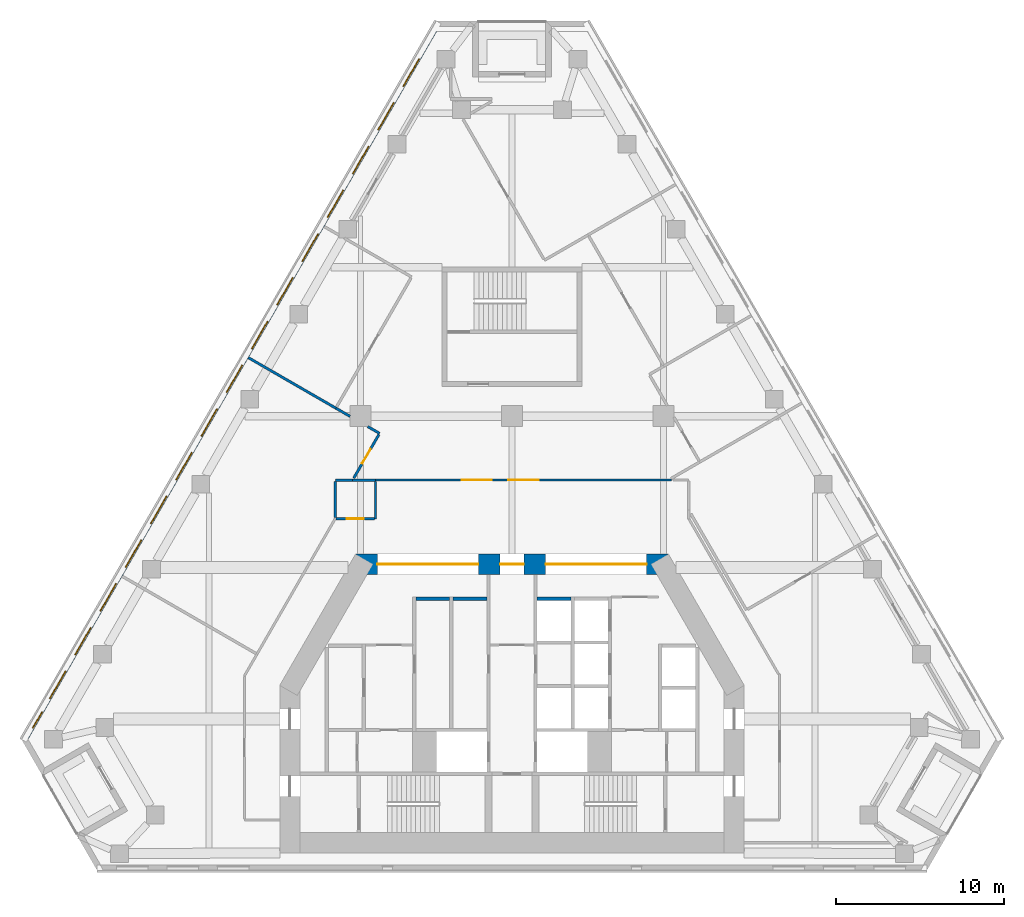
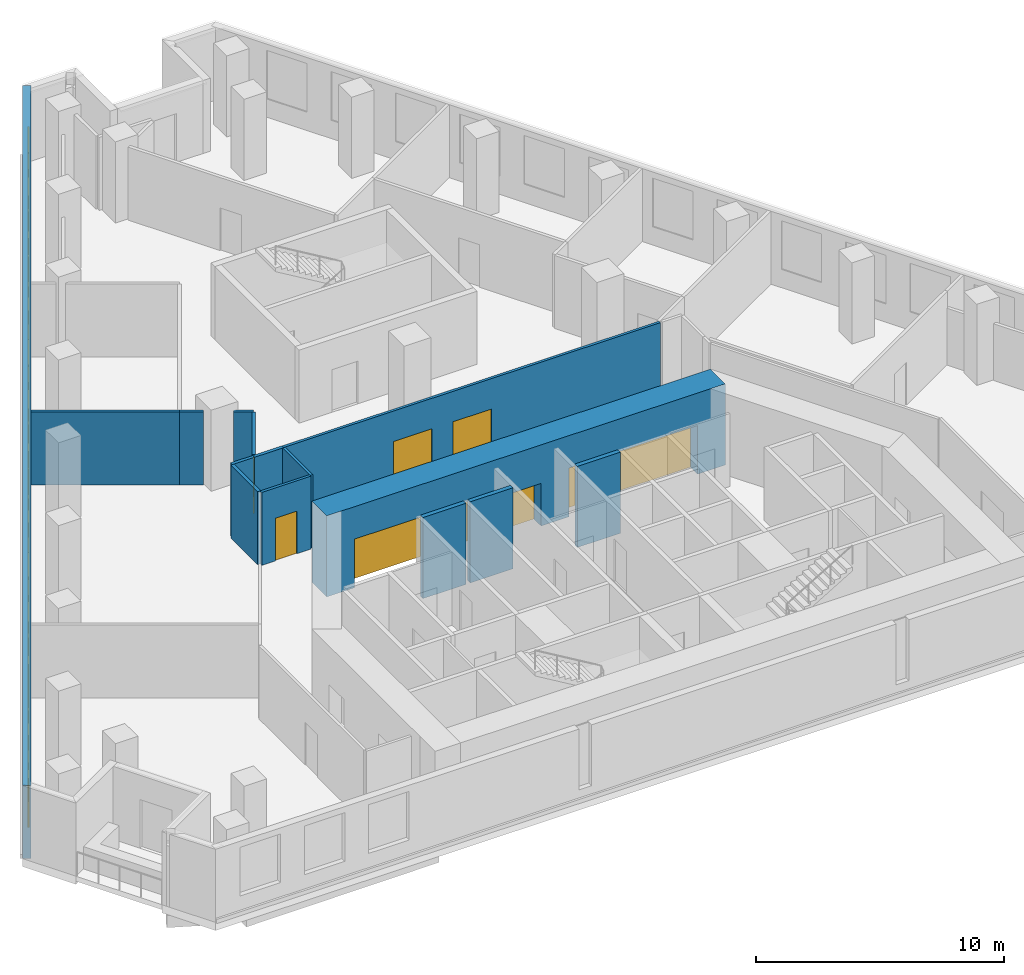
# One storey, part 5 of 9: 16 windows, 15 walls, 7 doors, 23 openings.
"""IFC4 building model written with IfcOpenShell, lengths in metres."""

from ifc_helpers import new_model, si_unit, direction, frame, frame_2d, origin, place, context, subcontext, project, spatial, rectangle, extrude, material, layer, layer_set, type_object, element, fill, save


model = new_model("IFC4")

# Units and contexts
model_context = context("Model", 3, precision=1e-05, world=origin(), true_north=direction((0.0, 1.0)))
body_context = subcontext(model_context, "Body", "Model", "MODEL_VIEW")
ifc_project = project(units=[si_unit("LENGTHUNIT", "METRE"), si_unit("AREAUNIT", "SQUARE_METRE"), si_unit("VOLUMEUNIT", "CUBIC_METRE"), si_unit("PLANEANGLEUNIT", "RADIAN"), si_unit("MASSUNIT", "GRAM", prefix="KILO")], contexts=[model_context])

# Site, building, storey
site_placement = place(None, origin())
site = spatial("IfcSite", under=ifc_project, at=site_placement, CompositionType="ELEMENT")
building_placement = place(site_placement, origin())
building = spatial("IfcBuilding", under=site, at=building_placement, Name="Fogline Exchange Tower", CompositionType="ELEMENT")
storey_placement = place(building_placement, frame((0.0, 0.0, 150.89990234375)))
storey = spatial("IfcBuildingStorey", under=building, at=storey_placement, Name="L33", CompositionType="ELEMENT", Elevation=150.89990234375)

# Walls
ifc_material_1 = material(Name="Concrete C40", Category="concrete")
ifc_layer_1 = layer(ifc_material_1, 0.199951171875)
ifc_layer_set_1 = layer_set([ifc_layer_1], Name="CW20S")
wall_type_1 = type_object("IfcWallType", Name="CW20S", PredefinedType="SOLIDWALL", material=ifc_layer_set_1)
for number, where, z_axis, x_axis, name in (
    (1, (-5.699951171875, 16.14990234375, -0.39990234375), (0.0, 0.0, 1.0), (1.0, 0.0, 0.0), "Lift shaft wall"),
    (2, (-3.5, 16.14990234375, -0.39990234375), (0.0, 0.0, 1.0), (1.0, 0.0, 0.0), "Lift shaft wall"),
    (3, (1.5, 16.14990234375, -0.39990234375), (0.0, 0.0, 1.0), (1.0, 0.0, 0.0), "Lift shaft wall"),
):
    element("IfcWall", number, at=place(storey_placement, frame(where, z_axis=z_axis, x_axis=x_axis)), inside=storey, type_object=wall_type_1, Name=name, PredefinedType="SOLIDWALL", context=body_context, shape_type="SweptSolid", body=[
        extrude(rectangle(XDim=2.0, YDim=0.199951171875, at=frame_2d((1.0, 0.0))), origin(), (0.0, 0.0, 1.0), 4.0),
    ])

# Wall, openings, windows
ifc_material_2 = material(Name="Brick masonry", Category="masonry")
ifc_layer_2 = layer(ifc_material_2, 0.340087890625)
ifc_layer_set_2 = layer_set([ifc_layer_2], Name="FW1")
wall_type_2 = type_object("IfcWallType", Name="FW1", PredefinedType="SOLIDWALL", material=ifc_layer_set_2)
wall_1_placement = place(storey_placement, frame((-4.352783203125, 50.401611328125, 0.0), z_axis=(0.0, 0.0, 1.0), x_axis=(-0.499999677325, -0.866025590081, 0.0)))
wall_1 = element("IfcWall", 4, at=wall_1_placement, inside=storey, type_object=wall_type_2, Name="Brick wall L33 W", PredefinedType="SOLIDWALL", context=body_context, shape_type="SweptSolid", body=[
    extrude(rectangle(XDim=49.296875, YDim=0.340087890625, at=frame_2d((24.6484375, 0.0))), origin(), (0.0, 0.0, 1.0), 3.60009765625),
])
opening_1_placement = place(wall_1_placement, frame((2.47265625, 0.0, 0.89990234375)))
opening_1 = element("IfcOpeningElement", 5, at=opening_1_placement, cuts=wall_1, Name="Opening W1", PredefinedType="OPENING", context=body_context, shape_type="SweptSolid", body=[
    extrude(rectangle(XDim=1.885009765625, YDim=2.39990234375, at=frame_2d((0.9423828125, 1.199951171875))), frame((0.0, 0.18017578125, 0.0), z_axis=(0.0, -1.0, 0.0), x_axis=(1.0, 0.0, 0.0)), (0.0, 0.0, 1.0), 0.360107421875),
])
opening_2_placement = place(wall_1_placement, frame((5.47265625, 0.0, 0.89990234375)))
opening_2 = element("IfcOpeningElement", 6, at=opening_2_placement, cuts=wall_1, Name="Opening W1", PredefinedType="OPENING", context=body_context, shape_type="SweptSolid", body=[
    extrude(rectangle(XDim=1.885009765625, YDim=2.39990234375, at=frame_2d((0.9423828125, 1.199951171875))), frame((0.0, 0.18017578125, 0.0), z_axis=(0.0, -1.0, 0.0), x_axis=(1.0, 0.0, 0.0)), (0.0, 0.0, 1.0), 0.360107421875),
])
opening_3_placement = place(wall_1_placement, frame((8.47265625, 0.0, 0.89990234375)))
opening_3 = element("IfcOpeningElement", 7, at=opening_3_placement, cuts=wall_1, Name="Opening W1", PredefinedType="OPENING", context=body_context, shape_type="SweptSolid", body=[
    extrude(rectangle(XDim=1.885009765625, YDim=2.39990234375, at=frame_2d((0.9423828125, 1.199951171875))), frame((0.0, 0.18017578125, 0.0), z_axis=(0.0, -1.0, 0.0), x_axis=(1.0, 0.0, 0.0)), (0.0, 0.0, 1.0), 0.360107421875),
])
opening_4_placement = place(wall_1_placement, frame((11.47265625, 0.0, 0.89990234375)))
opening_4 = element("IfcOpeningElement", 8, at=opening_4_placement, cuts=wall_1, Name="Opening W1", PredefinedType="OPENING", context=body_context, shape_type="SweptSolid", body=[
    extrude(rectangle(XDim=1.885009765625, YDim=2.39990234375, at=frame_2d((0.9423828125, 1.199951171875))), frame((0.0, 0.18017578125, 0.0), z_axis=(0.0, -1.0, 0.0), x_axis=(1.0, 0.0, 0.0)), (0.0, 0.0, 1.0), 0.360107421875),
])
opening_5_placement = place(wall_1_placement, frame((14.47265625, 0.0, 0.89990234375)))
opening_5 = element("IfcOpeningElement", 9, at=opening_5_placement, cuts=wall_1, Name="Opening W1", PredefinedType="OPENING", context=body_context, shape_type="SweptSolid", body=[
    extrude(rectangle(XDim=1.885009765625, YDim=2.39990234375, at=frame_2d((0.9423828125, 1.199951171875))), frame((0.0, 0.18017578125, 0.0), z_axis=(0.0, -1.0, 0.0), x_axis=(1.0, 0.0, 0.0)), (0.0, 0.0, 1.0), 0.360107421875),
])
opening_6_placement = place(wall_1_placement, frame((17.47265625, 0.0, 0.89990234375)))
opening_6 = element("IfcOpeningElement", 10, at=opening_6_placement, cuts=wall_1, Name="Opening W1", PredefinedType="OPENING", context=body_context, shape_type="SweptSolid", body=[
    extrude(rectangle(XDim=1.885009765625, YDim=2.39990234375, at=frame_2d((0.9423828125, 1.199951171875))), frame((0.0, 0.18017578125, 0.0), z_axis=(0.0, -1.0, 0.0), x_axis=(1.0, 0.0, 0.0)), (0.0, 0.0, 1.0), 0.360107421875),
])
opening_7_placement = place(wall_1_placement, frame((20.47265625, 0.0, 0.89990234375)))
opening_7 = element("IfcOpeningElement", 11, at=opening_7_placement, cuts=wall_1, Name="Opening W1", PredefinedType="OPENING", context=body_context, shape_type="SweptSolid", body=[
    extrude(rectangle(XDim=1.885009765625, YDim=2.39990234375, at=frame_2d((0.9423828125, 1.199951171875))), frame((0.0, 0.18017578125, 0.0), z_axis=(0.0, -1.0, 0.0), x_axis=(1.0, 0.0, 0.0)), (0.0, 0.0, 1.0), 0.360107421875),
])
opening_8_placement = place(wall_1_placement, frame((23.47265625, 0.0, 0.89990234375)))
opening_8 = element("IfcOpeningElement", 12, at=opening_8_placement, cuts=wall_1, Name="Opening W1", PredefinedType="OPENING", context=body_context, shape_type="SweptSolid", body=[
    extrude(rectangle(XDim=1.885009765625, YDim=2.39990234375, at=frame_2d((0.9423828125, 1.199951171875))), frame((0.0, 0.18017578125, 0.0), z_axis=(0.0, -1.0, 0.0), x_axis=(1.0, 0.0, 0.0)), (0.0, 0.0, 1.0), 0.360107421875),
])
opening_9_placement = place(wall_1_placement, frame((26.47265625, 0.0, 0.89990234375)))
opening_9 = element("IfcOpeningElement", 13, at=opening_9_placement, cuts=wall_1, Name="Opening W1", PredefinedType="OPENING", context=body_context, shape_type="SweptSolid", body=[
    extrude(rectangle(XDim=1.885009765625, YDim=2.39990234375, at=frame_2d((0.9423828125, 1.199951171875))), frame((0.0, 0.18017578125, 0.0), z_axis=(0.0, -1.0, 0.0), x_axis=(1.0, 0.0, 0.0)), (0.0, 0.0, 1.0), 0.360107421875),
])
opening_10_placement = place(wall_1_placement, frame((29.47265625, 0.0, 0.89990234375)))
opening_10 = element("IfcOpeningElement", 14, at=opening_10_placement, cuts=wall_1, Name="Opening W1", PredefinedType="OPENING", context=body_context, shape_type="SweptSolid", body=[
    extrude(rectangle(XDim=1.885009765625, YDim=2.39990234375, at=frame_2d((0.9423828125, 1.199951171875))), frame((0.0, 0.18017578125, 0.0), z_axis=(0.0, -1.0, 0.0), x_axis=(1.0, 0.0, 0.0)), (0.0, 0.0, 1.0), 0.360107421875),
])
opening_11_placement = place(wall_1_placement, frame((32.47265625, 0.0, 0.89990234375)))
opening_11 = element("IfcOpeningElement", 15, at=opening_11_placement, cuts=wall_1, Name="Opening W1", PredefinedType="OPENING", context=body_context, shape_type="SweptSolid", body=[
    extrude(rectangle(XDim=1.885009765625, YDim=2.39990234375, at=frame_2d((0.9423828125, 1.199951171875))), frame((0.0, 0.18017578125, 0.0), z_axis=(0.0, -1.0, 0.0), x_axis=(1.0, 0.0, 0.0)), (0.0, 0.0, 1.0), 0.360107421875),
])
opening_12_placement = place(wall_1_placement, frame((35.47265625, 0.0, 0.89990234375)))
opening_12 = element("IfcOpeningElement", 16, at=opening_12_placement, cuts=wall_1, Name="Opening W1", PredefinedType="OPENING", context=body_context, shape_type="SweptSolid", body=[
    extrude(rectangle(XDim=1.885009765625, YDim=2.39990234375, at=frame_2d((0.9423828125, 1.199951171875))), frame((0.0, 0.18017578125, 0.0), z_axis=(0.0, -1.0, 0.0), x_axis=(1.0, 0.0, 0.0)), (0.0, 0.0, 1.0), 0.360107421875),
])
opening_13_placement = place(wall_1_placement, frame((38.47265625, 0.0, 0.89990234375)))
opening_13 = element("IfcOpeningElement", 17, at=opening_13_placement, cuts=wall_1, Name="Opening W1", PredefinedType="OPENING", context=body_context, shape_type="SweptSolid", body=[
    extrude(rectangle(XDim=1.885009765625, YDim=2.39990234375, at=frame_2d((0.9423828125, 1.199951171875))), frame((0.0, 0.18017578125, 0.0), z_axis=(0.0, -1.0, 0.0), x_axis=(1.0, 0.0, 0.0)), (0.0, 0.0, 1.0), 0.360107421875),
])
opening_14_placement = place(wall_1_placement, frame((41.47265625, 0.0, 0.89990234375)))
opening_14 = element("IfcOpeningElement", 18, at=opening_14_placement, cuts=wall_1, Name="Opening W1", PredefinedType="OPENING", context=body_context, shape_type="SweptSolid", body=[
    extrude(rectangle(XDim=1.885009765625, YDim=2.39990234375, at=frame_2d((0.9423828125, 1.199951171875))), frame((0.0, 0.18017578125, 0.0), z_axis=(0.0, -1.0, 0.0), x_axis=(1.0, 0.0, 0.0)), (0.0, 0.0, 1.0), 0.360107421875),
])
opening_15_placement = place(wall_1_placement, frame((44.47265625, 0.0, 0.89990234375)))
opening_15 = element("IfcOpeningElement", 19, at=opening_15_placement, cuts=wall_1, Name="Opening W1", PredefinedType="OPENING", context=body_context, shape_type="SweptSolid", body=[
    extrude(rectangle(XDim=1.885009765625, YDim=2.39990234375, at=frame_2d((0.9423828125, 1.199951171875))), frame((0.0, 0.18017578125, 0.0), z_axis=(0.0, -1.0, 0.0), x_axis=(1.0, 0.0, 0.0)), (0.0, 0.0, 1.0), 0.360107421875),
])
opening_16_placement = place(wall_1_placement, frame((47.269775390625, 0.0, 0.89990234375)))
opening_16 = element("IfcOpeningElement", 20, at=opening_16_placement, cuts=wall_1, Name="Opening W4", PredefinedType="OPENING", context=body_context, shape_type="SweptSolid", body=[
    extrude(rectangle(XDim=1.114990234375, YDim=2.39990234375, at=frame_2d((0.5576171875, 1.199951171875))), frame((0.0, 0.18017578125, 0.0), z_axis=(0.0, -1.0, 0.0), x_axis=(1.0, 0.0, 0.0)), (0.0, 0.0, 1.0), 0.360107421875),
])
ifc_material_3 = material(Name="Aluminium and glass", Category="aluminium")
window_type_1 = type_object("IfcWindowType", Name="W1", PartitioningType="SINGLE_PANEL", PredefinedType="WINDOW", material=ifc_material_3)
window_1_placement = place(opening_1_placement, origin())
window_1 = element("IfcWindow", 21, at=window_1_placement, inside=storey, type_object=window_type_1, Name="W1 W1", OverallHeight=2.39990234375, OverallWidth=1.885009765625, PartitioningType="SINGLE_PANEL", PredefinedType="WINDOW", context=body_context, shape_type="SweptSolid", body=[
    extrude(rectangle(XDim=1.885009765625, YDim=2.39990234375, at=frame_2d((0.9423828125, 1.199951171875))), frame((0.0, 0.110107421875, 0.0), z_axis=(0.0, -1.0, 0.0), x_axis=(1.0, 0.0, 0.0)), (0.0, 0.0, 1.0), 0.06005859375),
])
fill(opening_1, window_1)
window_2_placement = place(opening_2_placement, origin())
window_2 = element("IfcWindow", 22, at=window_2_placement, inside=storey, type_object=window_type_1, Name="W1 W1", OverallHeight=2.39990234375, OverallWidth=1.885009765625, PartitioningType="SINGLE_PANEL", PredefinedType="WINDOW", context=body_context, shape_type="SweptSolid", body=[
    extrude(rectangle(XDim=1.885009765625, YDim=2.39990234375, at=frame_2d((0.9423828125, 1.199951171875))), frame((0.0, 0.110107421875, 0.0), z_axis=(0.0, -1.0, 0.0), x_axis=(1.0, 0.0, 0.0)), (0.0, 0.0, 1.0), 0.06005859375),
])
fill(opening_2, window_2)
window_3_placement = place(opening_3_placement, origin())
window_3 = element("IfcWindow", 23, at=window_3_placement, inside=storey, type_object=window_type_1, Name="W1 W1", OverallHeight=2.39990234375, OverallWidth=1.885009765625, PartitioningType="SINGLE_PANEL", PredefinedType="WINDOW", context=body_context, shape_type="SweptSolid", body=[
    extrude(rectangle(XDim=1.885009765625, YDim=2.39990234375, at=frame_2d((0.9423828125, 1.199951171875))), frame((0.0, 0.110107421875, 0.0), z_axis=(0.0, -1.0, 0.0), x_axis=(1.0, 0.0, 0.0)), (0.0, 0.0, 1.0), 0.06005859375),
])
fill(opening_3, window_3)
window_4_placement = place(opening_4_placement, origin())
window_4 = element("IfcWindow", 24, at=window_4_placement, inside=storey, type_object=window_type_1, Name="W1 W1", OverallHeight=2.39990234375, OverallWidth=1.885009765625, PartitioningType="SINGLE_PANEL", PredefinedType="WINDOW", context=body_context, shape_type="SweptSolid", body=[
    extrude(rectangle(XDim=1.885009765625, YDim=2.39990234375, at=frame_2d((0.9423828125, 1.199951171875))), frame((0.0, 0.110107421875, 0.0), z_axis=(0.0, -1.0, 0.0), x_axis=(1.0, 0.0, 0.0)), (0.0, 0.0, 1.0), 0.06005859375),
])
fill(opening_4, window_4)
window_5_placement = place(opening_5_placement, origin())
window_5 = element("IfcWindow", 25, at=window_5_placement, inside=storey, type_object=window_type_1, Name="W1 W1", OverallHeight=2.39990234375, OverallWidth=1.885009765625, PartitioningType="SINGLE_PANEL", PredefinedType="WINDOW", context=body_context, shape_type="SweptSolid", body=[
    extrude(rectangle(XDim=1.885009765625, YDim=2.39990234375, at=frame_2d((0.9423828125, 1.199951171875))), frame((0.0, 0.110107421875, 0.0), z_axis=(0.0, -1.0, 0.0), x_axis=(1.0, 0.0, 0.0)), (0.0, 0.0, 1.0), 0.06005859375),
])
fill(opening_5, window_5)
window_6_placement = place(opening_6_placement, origin())
window_6 = element("IfcWindow", 26, at=window_6_placement, inside=storey, type_object=window_type_1, Name="W1 W1", OverallHeight=2.39990234375, OverallWidth=1.885009765625, PartitioningType="SINGLE_PANEL", PredefinedType="WINDOW", context=body_context, shape_type="SweptSolid", body=[
    extrude(rectangle(XDim=1.885009765625, YDim=2.39990234375, at=frame_2d((0.9423828125, 1.199951171875))), frame((0.0, 0.110107421875, 0.0), z_axis=(0.0, -1.0, 0.0), x_axis=(1.0, 0.0, 0.0)), (0.0, 0.0, 1.0), 0.06005859375),
])
fill(opening_6, window_6)
window_7_placement = place(opening_7_placement, origin())
window_7 = element("IfcWindow", 27, at=window_7_placement, inside=storey, type_object=window_type_1, Name="W1 W1", OverallHeight=2.39990234375, OverallWidth=1.885009765625, PartitioningType="SINGLE_PANEL", PredefinedType="WINDOW", context=body_context, shape_type="SweptSolid", body=[
    extrude(rectangle(XDim=1.885009765625, YDim=2.39990234375, at=frame_2d((0.9423828125, 1.199951171875))), frame((0.0, 0.110107421875, 0.0), z_axis=(0.0, -1.0, 0.0), x_axis=(1.0, 0.0, 0.0)), (0.0, 0.0, 1.0), 0.06005859375),
])
fill(opening_7, window_7)
window_8_placement = place(opening_8_placement, origin())
window_8 = element("IfcWindow", 28, at=window_8_placement, inside=storey, type_object=window_type_1, Name="W1 W1", OverallHeight=2.39990234375, OverallWidth=1.885009765625, PartitioningType="SINGLE_PANEL", PredefinedType="WINDOW", context=body_context, shape_type="SweptSolid", body=[
    extrude(rectangle(XDim=1.885009765625, YDim=2.39990234375, at=frame_2d((0.9423828125, 1.199951171875))), frame((0.0, 0.110107421875, 0.0), z_axis=(0.0, -1.0, 0.0), x_axis=(1.0, 0.0, 0.0)), (0.0, 0.0, 1.0), 0.06005859375),
])
fill(opening_8, window_8)
window_9_placement = place(opening_9_placement, origin())
window_9 = element("IfcWindow", 29, at=window_9_placement, inside=storey, type_object=window_type_1, Name="W1 W1", OverallHeight=2.39990234375, OverallWidth=1.885009765625, PartitioningType="SINGLE_PANEL", PredefinedType="WINDOW", context=body_context, shape_type="SweptSolid", body=[
    extrude(rectangle(XDim=1.885009765625, YDim=2.39990234375, at=frame_2d((0.9423828125, 1.199951171875))), frame((0.0, 0.110107421875, 0.0), z_axis=(0.0, -1.0, 0.0), x_axis=(1.0, 0.0, 0.0)), (0.0, 0.0, 1.0), 0.06005859375),
])
fill(opening_9, window_9)
window_10_placement = place(opening_10_placement, origin())
window_10 = element("IfcWindow", 30, at=window_10_placement, inside=storey, type_object=window_type_1, Name="W1 W1", OverallHeight=2.39990234375, OverallWidth=1.885009765625, PartitioningType="SINGLE_PANEL", PredefinedType="WINDOW", context=body_context, shape_type="SweptSolid", body=[
    extrude(rectangle(XDim=1.885009765625, YDim=2.39990234375, at=frame_2d((0.9423828125, 1.199951171875))), frame((0.0, 0.110107421875, 0.0), z_axis=(0.0, -1.0, 0.0), x_axis=(1.0, 0.0, 0.0)), (0.0, 0.0, 1.0), 0.06005859375),
])
fill(opening_10, window_10)
window_11_placement = place(opening_11_placement, origin())
window_11 = element("IfcWindow", 31, at=window_11_placement, inside=storey, type_object=window_type_1, Name="W1 W1", OverallHeight=2.39990234375, OverallWidth=1.885009765625, PartitioningType="SINGLE_PANEL", PredefinedType="WINDOW", context=body_context, shape_type="SweptSolid", body=[
    extrude(rectangle(XDim=1.885009765625, YDim=2.39990234375, at=frame_2d((0.9423828125, 1.199951171875))), frame((0.0, 0.110107421875, 0.0), z_axis=(0.0, -1.0, 0.0), x_axis=(1.0, 0.0, 0.0)), (0.0, 0.0, 1.0), 0.06005859375),
])
fill(opening_11, window_11)
window_12_placement = place(opening_12_placement, origin())
window_12 = element("IfcWindow", 32, at=window_12_placement, inside=storey, type_object=window_type_1, Name="W1 W1", OverallHeight=2.39990234375, OverallWidth=1.885009765625, PartitioningType="SINGLE_PANEL", PredefinedType="WINDOW", context=body_context, shape_type="SweptSolid", body=[
    extrude(rectangle(XDim=1.885009765625, YDim=2.39990234375, at=frame_2d((0.9423828125, 1.199951171875))), frame((0.0, 0.110107421875, 0.0), z_axis=(0.0, -1.0, 0.0), x_axis=(1.0, 0.0, 0.0)), (0.0, 0.0, 1.0), 0.06005859375),
])
fill(opening_12, window_12)
window_13_placement = place(opening_13_placement, origin())
window_13 = element("IfcWindow", 33, at=window_13_placement, inside=storey, type_object=window_type_1, Name="W1 W1", OverallHeight=2.39990234375, OverallWidth=1.885009765625, PartitioningType="SINGLE_PANEL", PredefinedType="WINDOW", context=body_context, shape_type="SweptSolid", body=[
    extrude(rectangle(XDim=1.885009765625, YDim=2.39990234375, at=frame_2d((0.9423828125, 1.199951171875))), frame((0.0, 0.110107421875, 0.0), z_axis=(0.0, -1.0, 0.0), x_axis=(1.0, 0.0, 0.0)), (0.0, 0.0, 1.0), 0.06005859375),
])
fill(opening_13, window_13)
window_14_placement = place(opening_14_placement, origin())
window_14 = element("IfcWindow", 34, at=window_14_placement, inside=storey, type_object=window_type_1, Name="W1 W1", OverallHeight=2.39990234375, OverallWidth=1.885009765625, PartitioningType="SINGLE_PANEL", PredefinedType="WINDOW", context=body_context, shape_type="SweptSolid", body=[
    extrude(rectangle(XDim=1.885009765625, YDim=2.39990234375, at=frame_2d((0.9423828125, 1.199951171875))), frame((0.0, 0.110107421875, 0.0), z_axis=(0.0, -1.0, 0.0), x_axis=(1.0, 0.0, 0.0)), (0.0, 0.0, 1.0), 0.06005859375),
])
fill(opening_14, window_14)
window_15_placement = place(opening_15_placement, origin())
window_15 = element("IfcWindow", 35, at=window_15_placement, inside=storey, type_object=window_type_1, Name="W1 W1", OverallHeight=2.39990234375, OverallWidth=1.885009765625, PartitioningType="SINGLE_PANEL", PredefinedType="WINDOW", context=body_context, shape_type="SweptSolid", body=[
    extrude(rectangle(XDim=1.885009765625, YDim=2.39990234375, at=frame_2d((0.9423828125, 1.199951171875))), frame((0.0, 0.110107421875, 0.0), z_axis=(0.0, -1.0, 0.0), x_axis=(1.0, 0.0, 0.0)), (0.0, 0.0, 1.0), 0.06005859375),
])
fill(opening_15, window_15)
window_type_2 = type_object("IfcWindowType", Name="W4", PartitioningType="SINGLE_PANEL", PredefinedType="WINDOW", material=ifc_material_3)
window_16_placement = place(opening_16_placement, origin())
window_16 = element("IfcWindow", 36, at=window_16_placement, inside=storey, type_object=window_type_2, Name="W4 W4", OverallHeight=2.39990234375, OverallWidth=1.114990234375, PartitioningType="SINGLE_PANEL", PredefinedType="WINDOW", context=body_context, shape_type="SweptSolid", body=[
    extrude(rectangle(XDim=1.114990234375, YDim=2.39990234375, at=frame_2d((0.5576171875, 1.199951171875))), frame((0.0, 0.110107421875, 0.0), z_axis=(0.0, -1.0, 0.0), x_axis=(1.0, 0.0, 0.0)), (0.0, 0.0, 1.0), 0.06005859375),
])
fill(opening_16, window_16)

# Wall, openings, doors
ifc_material_4 = material(Name="Plasterboard corridor partition with mineral wool, 2 layers each side")
ifc_layer_3 = layer(ifc_material_4, 0.125)
ifc_layer_set_3 = layer_set([ifc_layer_3], Name="PW2")
wall_type_3 = type_object("IfcWallType", Name="PW2", PredefinedType="PARTITIONING", material=ifc_layer_set_3)
wall_2_placement = place(storey_placement, frame((-8.10009765625, 23.199951171875, 0.0), z_axis=(0.0, 0.0, 1.0), x_axis=(1.0, 0.0, 0.0)))
wall_2 = element("IfcWall", 37, at=wall_2_placement, inside=storey, type_object=wall_type_3, Name="wall-L33-W006", PredefinedType="PARTITIONING", context=body_context, shape_type="SweptSolid", body=[
    extrude(rectangle(XDim=17.569091796875, YDim=0.125, at=frame_2d((8.78466796875, 0.0))), origin(), (0.0, 0.0, 1.0), 3.60009765625),
])
opening_17_placement = place(wall_2_placement, frame((5.1083984375, 0.0, 0.0)))
opening_17 = element("IfcOpeningElement", 38, at=opening_17_placement, cuts=wall_2, Name="Opening T10-D002", PredefinedType="OPENING", context=body_context, shape_type="SweptSolid", body=[
    extrude(rectangle(XDim=1.800048828125, YDim=2.10009765625, at=frame_2d((0.89990234375, 1.050048828125))), frame((0.0, 0.072509765625, 0.0), z_axis=(0.0, -1.0, 0.0), x_axis=(1.0, 0.0, 0.0)), (0.0, 0.0, 1.0), 0.14501953125),
])
opening_18_placement = place(wall_2_placement, frame((7.884521484375, 0.0, 0.0)))
opening_18 = element("IfcOpeningElement", 39, at=opening_18_placement, cuts=wall_2, Name="Opening T10-D003", PredefinedType="OPENING", context=body_context, shape_type="SweptSolid", body=[
    extrude(rectangle(XDim=1.800048828125, YDim=2.10009765625, at=frame_2d((0.89990234375, 1.050048828125))), frame((0.0, 0.072509765625, 0.0), z_axis=(0.0, -1.0, 0.0), x_axis=(1.0, 0.0, 0.0)), (0.0, 0.0, 1.0), 0.14501953125),
])
ifc_material_5 = material(Name="Fire-rated timber door leaves with steel frame", Category="steel")
door_type_1 = type_object("IfcDoorType", Name="D4", OperationType="DOUBLE_DOOR_SINGLE_SWING", PredefinedType="DOOR", material=ifc_material_5)
door_1_placement = place(opening_17_placement, frame((1.800048828125, 0.0, 0.0), z_axis=(0.0, 0.0, 1.0), x_axis=(-1.0, 0.0, 0.0)))
door_1 = element("IfcDoor", 40, at=door_1_placement, inside=storey, type_object=door_type_1, Name="door-L33-D002", OperationType="DOUBLE_DOOR_SINGLE_SWING", OverallHeight=2.10009765625, OverallWidth=1.800048828125, PredefinedType="DOOR", context=body_context, shape_type="SweptSolid", body=[
    extrude(rectangle(XDim=1.800048828125, YDim=2.10009765625, at=frame_2d((0.89990234375, 1.050048828125))), frame((0.0, 0.02490234375, 0.0), z_axis=(0.0, -1.0, 0.0), x_axis=(1.0, 0.0, 0.0)), (0.0, 0.0, 1.0), 0.050048828125),
])
fill(opening_17, door_1)
door_2_placement = place(opening_18_placement, frame((1.800048828125, 0.0, 0.0), z_axis=(0.0, 0.0, 1.0), x_axis=(-1.0, 0.0, 0.0)))
door_2 = element("IfcDoor", 41, at=door_2_placement, inside=storey, type_object=door_type_1, Name="door-L33-D003", OperationType="DOUBLE_DOOR_SINGLE_SWING", OverallHeight=2.10009765625, OverallWidth=1.800048828125, PredefinedType="DOOR", context=body_context, shape_type="SweptSolid", body=[
    extrude(rectangle(XDim=1.800048828125, YDim=2.10009765625, at=frame_2d((0.89990234375, 1.050048828125))), frame((0.0, 0.02490234375, 0.0), z_axis=(0.0, -1.0, 0.0), x_axis=(1.0, 0.0, 0.0)), (0.0, 0.0, 1.0), 0.050048828125),
])
fill(opening_18, door_2)

# Wall, opening, door
wall_3_placement = place(storey_placement, frame((-10.453857421875, 20.89990234375, 0.0), z_axis=(0.0, 0.0, 1.0), x_axis=(1.0, 0.0, 0.0)))
wall_3 = element("IfcWall", 42, at=wall_3_placement, inside=storey, type_object=wall_type_3, Name="wall-L33-W007", PredefinedType="PARTITIONING", context=body_context, shape_type="SweptSolid", body=[
    extrude(rectangle(XDim=2.291259765625, YDim=0.125, at=frame_2d((1.1455078125, 0.0))), origin(), (0.0, 0.0, 1.0), 3.60009765625),
])
opening_19_placement = place(wall_3_placement, frame((0.645751953125, 0.0, 0.0)))
opening_19 = element("IfcOpeningElement", 43, at=opening_19_placement, cuts=wall_3, Name="Opening T10-D004", PredefinedType="OPENING", context=body_context, shape_type="SweptSolid", body=[
    extrude(rectangle(XDim=1.0, YDim=2.10009765625, at=frame_2d((0.5, 1.050048828125))), frame((0.0, 0.072509765625, 0.0), z_axis=(0.0, -1.0, 0.0), x_axis=(1.0, 0.0, 0.0)), (0.0, 0.0, 1.0), 0.14501953125),
])
ifc_material_6 = material(Name="Fire-rated timber door leaf with steel frame", Category="steel")
door_type_2 = type_object("IfcDoorType", Name="D3", OperationType="SINGLE_SWING_LEFT", PredefinedType="DOOR", material=ifc_material_6)
door_3_placement = place(opening_19_placement, origin())
door_3 = element("IfcDoor", 44, at=door_3_placement, inside=storey, type_object=door_type_2, Name="door-L33-D004", OperationType="SINGLE_SWING_LEFT", OverallHeight=2.10009765625, OverallWidth=1.0, PredefinedType="DOOR", context=body_context, shape_type="SweptSolid", body=[
    extrude(rectangle(XDim=1.0, YDim=2.10009765625, at=frame_2d((0.5, 1.050048828125))), frame((0.0, 0.02490234375, 0.0), z_axis=(0.0, -1.0, 0.0), x_axis=(1.0, 0.0, 0.0)), (0.0, 0.0, 1.0), 0.050048828125),
])
fill(opening_19, door_3)

# Walls
wall_4_placement = place(storey_placement, frame((-8.10009765625, 20.89990234375, 0.0), z_axis=(0.0, 0.0, 1.0), x_axis=(0.0, 1.0, 0.0)))
element("IfcWall", 45, at=wall_4_placement, inside=storey, type_object=wall_type_3, Name="wall-L33-W008", PredefinedType="PARTITIONING", context=body_context, shape_type="SweptSolid", body=[
    extrude(rectangle(XDim=2.224609375, YDim=0.125, at=frame_2d((1.1123046875, 0.0))), origin(), (0.0, 0.0, 1.0), 3.60009765625),
])
ifc_material_7 = material(Name="Plasterboard demising partition with mineral wool and acoustic board")
ifc_layer_4 = layer(ifc_material_7, 0.14990234375)
ifc_layer_set_4 = layer_set([ifc_layer_4], Name="PW3")
wall_type_4 = type_object("IfcWallType", Name="PW3", PredefinedType="PARTITIONING", material=ifc_layer_set_4)
wall_5_placement = place(storey_placement, frame((-8.10009765625, 23.199951171875, 0.0), z_axis=(0.0, 0.0, 1.0), x_axis=(-1.0, 0.0, 0.0)))
element("IfcWall", 46, at=wall_5_placement, inside=storey, type_object=wall_type_4, Name="wall-L33-W034", PredefinedType="PARTITIONING", context=body_context, shape_type="SweptSolid", body=[
    extrude(rectangle(XDim=1.368896484375, YDim=0.14990234375, at=frame_2d((0.6845703125, 0.0))), origin(), (0.0, 0.0, 1.0), 3.60009765625),
])

# Wall, opening, door
wall_6_placement = place(storey_placement, frame((-9.40380859375, 23.31298828125, 0.0), z_axis=(0.0, 0.0, 1.0), x_axis=(0.499988265988, 0.866032178313, 0.0)))
wall_6 = element("IfcWall", 47, at=wall_6_placement, inside=storey, type_object=wall_type_4, Name="wall-L33-W035", PredefinedType="PARTITIONING", context=body_context, shape_type="SweptSolid", body=[
    extrude(rectangle(XDim=2.99462890625, YDim=0.14990234375, at=frame_2d((1.497314453125, 0.0))), origin(), (0.0, 0.0, 1.0), 3.60009765625),
])
opening_20_placement = place(wall_6_placement, frame((0.99755859375, 0.0, 0.0)))
opening_20 = element("IfcOpeningElement", 48, at=opening_20_placement, cuts=wall_6, Name="Opening T10-D012", PredefinedType="OPENING", context=body_context, shape_type="SweptSolid", body=[
    extrude(rectangle(XDim=1.0, YDim=2.10009765625, at=frame_2d((0.5, 1.050048828125))), frame((0.0, 0.0849609375, 0.0), z_axis=(0.0, -1.0, 0.0), x_axis=(1.0, 0.0, 0.0)), (0.0, 0.0, 1.0), 0.169921875),
])
door_4_placement = place(opening_20_placement, origin())
door_4 = element("IfcDoor", 49, at=door_4_placement, inside=storey, type_object=door_type_2, Name="door-L33-D012", OperationType="SINGLE_SWING_RIGHT", OverallHeight=2.10009765625, OverallWidth=1.0, PredefinedType="DOOR", context=body_context, shape_type="SweptSolid", body=[
    extrude(rectangle(XDim=1.0, YDim=2.10009765625, at=frame_2d((0.5, 1.050048828125))), frame((0.0, 0.02490234375, 0.0), z_axis=(0.0, -1.0, 0.0), x_axis=(1.0, 0.0, 0.0)), (0.0, 0.0, 1.0), 0.050048828125),
])
fill(opening_20, door_4)

# Walls
wall_7_placement = place(storey_placement, frame((-7.868896484375, 25.971435546875, 0.0), z_axis=(0.0, 0.0, 1.0), x_axis=(-0.866019355129, 0.500010476433, 0.0)))
element("IfcWall", 50, at=wall_7_placement, inside=storey, type_object=wall_type_4, Name="wall-L33-W036", PredefinedType="PARTITIONING", context=body_context, shape_type="SweptSolid", body=[
    extrude(rectangle(XDim=0.80712890625, YDim=0.14990234375, at=frame_2d((0.403564453125, 0.0))), origin(), (0.0, 0.0, 1.0), 3.60009765625),
])
wall_8_placement = place(storey_placement, frame((-9.625, 26.9853515625, 0.0), z_axis=(0.0, 0.0, 1.0), x_axis=(-0.866055964107, 0.499947064232, 0.0)))
element("IfcWall", 51, at=wall_8_placement, inside=storey, type_object=wall_type_4, Name="wall-L33-W037", PredefinedType="PARTITIONING", context=body_context, shape_type="SweptSolid", body=[
    extrude(rectangle(XDim=0.97216796875, YDim=0.14990234375, at=frame_2d((0.486083984375, 0.0))), origin(), (0.0, 0.0, 1.0), 3.60009765625),
])
wall_9_placement = place(storey_placement, frame((-10.467041015625, 27.471435546875, 0.0), z_axis=(0.0, 0.0, 1.0), x_axis=(-0.866020924479, 0.500007758305, 0.0)))
element("IfcWall", 52, at=wall_9_placement, inside=storey, type_object=wall_type_4, Name="wall-L33-W039", PredefinedType="PARTITIONING", context=body_context, shape_type="SweptSolid", body=[
    extrude(rectangle(XDim=6.0, YDim=0.14990234375, at=frame_2d((3.0, 0.0))), origin(), (0.0, 0.0, 1.0), 3.60009765625),
])
wall_10_placement = place(storey_placement, frame((-10.5, 20.96240234375, 0.0), z_axis=(0.0, 0.0, 1.0), x_axis=(0.0, 1.0, 0.0)))
element("IfcWall", 53, at=wall_10_placement, inside=storey, type_object=wall_type_4, Name="wall-L33-W040", PredefinedType="PARTITIONING", context=body_context, shape_type="SweptSolid", body=[
    extrude(rectangle(XDim=2.16259765625, YDim=0.14990234375, at=frame_2d((1.081298828125, 0.0))), origin(), (0.0, 0.0, 1.0), 3.60009765625),
])
wall_11_placement = place(storey_placement, frame((-10.5, 23.199951171875, 0.0), z_axis=(0.0, 0.0, 1.0), x_axis=(1.0, 0.0, 0.0)))
element("IfcWall", 54, at=wall_11_placement, inside=storey, type_object=wall_type_4, Name="wall-L33-W041", PredefinedType="PARTITIONING", context=body_context, shape_type="SweptSolid", body=[
    extrude(rectangle(XDim=1.031005859375, YDim=0.14990234375, at=frame_2d((0.515625, 0.0))), origin(), (0.0, 0.0, 1.0), 3.60009765625),
])

# Wall, openings, doors
ifc_material_8 = material(Name="Concrete C60", Category="concrete")
ifc_layer_5 = layer(ifc_material_8, 1.199951171875)
ifc_layer_set_5 = layer_set([ifc_layer_5], Name="SW02")
wall_type_5 = type_object("IfcWallType", Name="SW02", PredefinedType="SHEAR", material=ifc_layer_set_5)
wall_12_placement = place(storey_placement, frame((9.296142578125, 18.199951171875, 0.0), z_axis=(0.0, 0.0, 1.0), x_axis=(-1.0, 0.0, 0.0)))
wall_12 = element("IfcWall", 55, at=wall_12_placement, inside=storey, type_object=wall_type_5, Name="L33-W904", PredefinedType="SHEAR", context=body_context, shape_type="SweptSolid", body=[
    extrude(rectangle(XDim=18.59228515625, YDim=1.199951171875, at=frame_2d((9.296142578125, 0.0))), origin(), (0.0, 0.0, 1.0), 4.0),
])
opening_21_placement = place(wall_12_placement, frame((8.59619140625, 0.0, 0.0)))
opening_21 = element("IfcOpeningElement", 56, at=opening_21_placement, cuts=wall_12, Name="Opening T10-C019", PredefinedType="OPENING", context=body_context, shape_type="SweptSolid", body=[
    extrude(rectangle(XDim=1.39990234375, YDim=2.10009765625, at=frame_2d((0.699951171875, 1.050048828125))), frame((0.0, 0.60986328125, 0.0), z_axis=(0.0, -1.0, 0.0), x_axis=(1.0, 0.0, 0.0)), (0.0, 0.0, 1.0), 1.219970703125),
])
opening_22_placement = place(wall_12_placement, frame((11.296142578125, 0.0, 0.0)))
opening_22 = element("IfcOpeningElement", 57, at=opening_22_placement, cuts=wall_12, Name="Opening T10-C020", PredefinedType="OPENING", context=body_context, shape_type="SweptSolid", body=[
    extrude(rectangle(XDim=6.0, YDim=2.39990234375, at=frame_2d((3.0, 1.199951171875))), frame((0.0, 0.60986328125, 0.0), z_axis=(0.0, -1.0, 0.0), x_axis=(1.0, 0.0, 0.0)), (0.0, 0.0, 1.0), 1.219970703125),
])
opening_23_placement = place(wall_12_placement, frame((1.296142578125, 0.0, 0.0)))
opening_23 = element("IfcOpeningElement", 58, at=opening_23_placement, cuts=wall_12, Name="Opening T10-C021", PredefinedType="OPENING", context=body_context, shape_type="SweptSolid", body=[
    extrude(rectangle(XDim=6.0, YDim=2.39990234375, at=frame_2d((3.0, 1.199951171875))), frame((0.0, 0.60986328125, 0.0), z_axis=(0.0, -1.0, 0.0), x_axis=(1.0, 0.0, 0.0)), (0.0, 0.0, 1.0), 1.219970703125),
])
ifc_material_9 = material(Name="Steel and timber fire door", Category="steel")
door_type_3 = type_object("IfcDoorType", Name="D-LB1", OperationType="DOUBLE_DOOR_SINGLE_SWING", PredefinedType="DOOR", material=ifc_material_9)
door_5_placement = place(opening_21_placement, origin())
door_5 = element("IfcDoor", 59, at=door_5_placement, inside=storey, type_object=door_type_3, Name="Protected lobby door", OperationType="DOUBLE_DOOR_SINGLE_SWING", OverallHeight=2.10009765625, OverallWidth=1.39990234375, PredefinedType="DOOR", context=body_context, shape_type="SweptSolid", body=[
    extrude(rectangle(XDim=1.39990234375, YDim=2.10009765625, at=frame_2d((0.699951171875, 1.050048828125))), frame((0.0, 0.02490234375, 0.0), z_axis=(0.0, -1.0, 0.0), x_axis=(1.0, 0.0, 0.0)), (0.0, 0.0, 1.0), 0.050048828125),
])
fill(opening_21, door_5)
door_type_4 = type_object("IfcDoorType", Name="D-LE1", OperationType="DOUBLE_DOOR_SLIDING", PredefinedType="DOOR", material=ifc_material_9)
door_6_placement = place(opening_22_placement, origin())
door_6 = element("IfcDoor", 60, at=door_6_placement, inside=storey, type_object=door_type_4, Name="Lift lobby entrance west", OperationType="DOUBLE_DOOR_SLIDING", OverallHeight=2.39990234375, OverallWidth=6.0, PredefinedType="DOOR", context=body_context, shape_type="SweptSolid", body=[
    extrude(rectangle(XDim=6.0, YDim=2.39990234375, at=frame_2d((3.0, 1.199951171875))), frame((0.0, 0.02490234375, 0.0), z_axis=(0.0, -1.0, 0.0), x_axis=(1.0, 0.0, 0.0)), (0.0, 0.0, 1.0), 0.050048828125),
])
fill(opening_22, door_6)
door_7_placement = place(opening_23_placement, origin())
door_7 = element("IfcDoor", 61, at=door_7_placement, inside=storey, type_object=door_type_4, Name="Lift lobby entrance east", OperationType="DOUBLE_DOOR_SLIDING", OverallHeight=2.39990234375, OverallWidth=6.0, PredefinedType="DOOR", context=body_context, shape_type="SweptSolid", body=[
    extrude(rectangle(XDim=6.0, YDim=2.39990234375, at=frame_2d((3.0, 1.199951171875))), frame((0.0, 0.02490234375, 0.0), z_axis=(0.0, -1.0, 0.0), x_axis=(1.0, 0.0, 0.0)), (0.0, 0.0, 1.0), 0.050048828125),
])
fill(opening_23, door_7)

save(model, "model.ifc")
